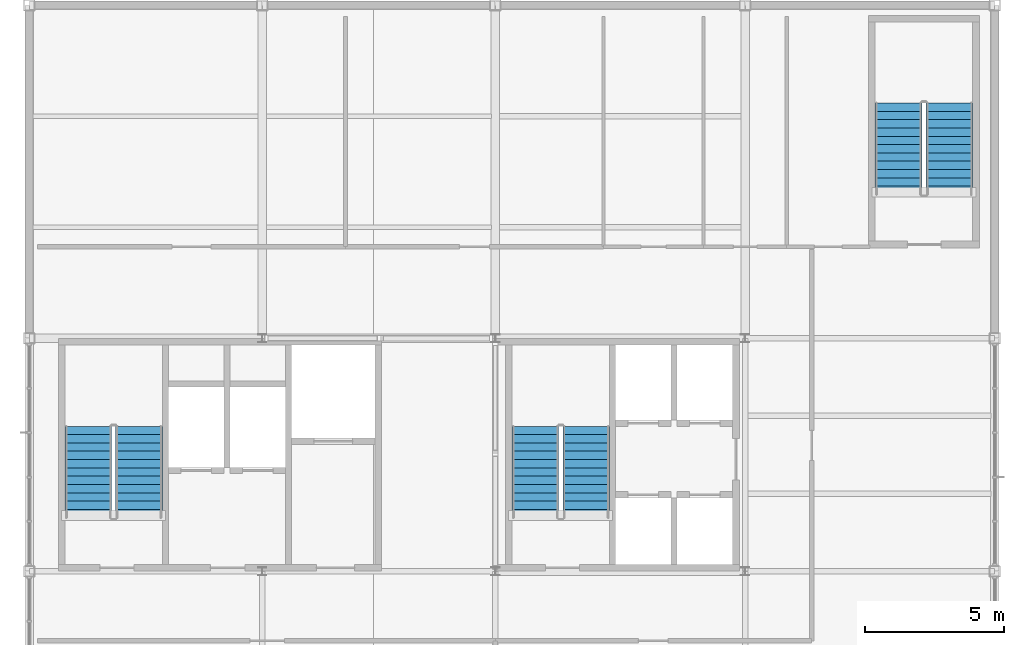
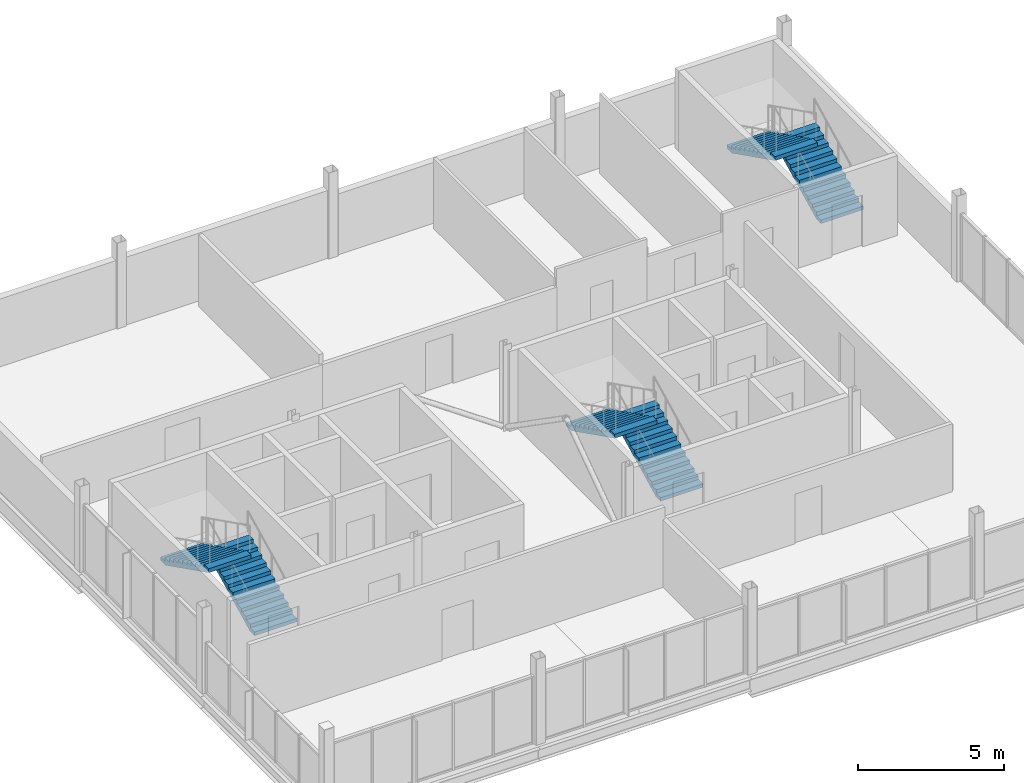
# One storey, part 13 of 15: 6 stair flights, 3 elements without a shape of their own.
"""IFC4 building model written with IfcOpenShell, lengths in metres."""

from ifc_helpers import new_model, si_unit, direction, frame, origin, place, context, subcontext, project, spatial, polyline, outline, extrude, material, type_object, element, aggregate, save


model = new_model("IFC4")

# Units and contexts
model_context = context("Model", 3, precision=1e-05, world=origin(), true_north=direction((0.0, 1.0)))
body_context = subcontext(model_context, "Body", "Model", "MODEL_VIEW")
ifc_project = project(units=[si_unit("LENGTHUNIT", "METRE"), si_unit("AREAUNIT", "SQUARE_METRE"), si_unit("VOLUMEUNIT", "CUBIC_METRE"), si_unit("PLANEANGLEUNIT", "RADIAN"), si_unit("MASSUNIT", "GRAM", prefix="KILO")], contexts=[model_context])

# Site, building, storey
site_placement = place(None, origin())
site = spatial("IfcSite", under=ifc_project, at=site_placement, CompositionType="ELEMENT")
building_placement = place(site_placement, origin())
building = spatial("IfcBuilding", under=site, at=building_placement, Name="Yukiwa Park Conservatory and Herbarium", CompositionType="ELEMENT")
storey_placement = place(building_placement, frame((0.0, 0.0, 54.0)))
storey = spatial("IfcBuildingStorey", under=building, at=storey_placement, Name="L14", CompositionType="ELEMENT", Elevation=54.0)

# Stair, stair flights
ifc_material_1 = material(Name="Concrete C40", Category="concrete")
stair_type_1 = type_object("IfcStairType", Name="ST-DOGLEG-ST-T1", PredefinedType="HALF_TURN_STAIR", material=ifc_material_1)
stair_1_placement = place(storey_placement, origin())
stair_1 = element("IfcStair", 1, at=stair_1_placement, inside=storey, type_object=stair_type_1, Name="L14 Protected Smoke-Proof Stair ST-T1", PredefinedType="HALF_TURN_STAIR")
ifc_material_2 = material(Name="Concrete C40", Category="concrete")
stair_flight_type = type_object("IfcStairFlightType", Name="STF-RC-1680", PredefinedType="STRAIGHT", material=ifc_material_2)
stair_flight_1_placement = place(storey_placement, frame((137.159912109375, 96.72998046875, 0.0), z_axis=(0.0, 0.0, 1.0), x_axis=(0.0, 1.0, 0.0)))
stair_flight_1 = element("IfcStairFlight", 2, at=stair_flight_1_placement, type_object=stair_flight_type, Name="ST-T1 flight 1", NumberOfRisers=12, NumberOfTreads=11, PredefinedType="STRAIGHT", RiserHeight=0.15, TreadLength=0.3, context=body_context, shape_type="SweptSolid", body=[
    extrude(outline(polyline([(0.0, 0.0), (0.0, 0.14990234375), (0.300048828125, 0.14990234375), (0.300048828125, 0.300048828125), (0.60009765625, 0.300048828125), (0.60009765625, 0.449951171875), (0.89990234375, 0.449951171875), (0.89990234375, 0.60009765625), (1.199951171875, 0.60009765625), (1.199951171875, 0.75), (1.5, 0.75), (1.5, 0.89990234375), (1.800048828125, 0.89990234375), (1.800048828125, 1.050048828125), (2.10009765625, 1.050048828125), (2.10009765625, 1.199951171875), (2.39990234375, 1.199951171875), (2.39990234375, 1.35009765625), (2.699951171875, 1.35009765625), (2.699951171875, 1.5), (3.0, 1.5), (3.0, 1.64990234375), (3.300048828125, 1.64990234375), (3.300048828125, 1.800048828125), (3.300048828125, 1.482421875), (0.335205078125, 0.0), (0.0, 0.0)])), frame((0.0, 0.83984375, 0.0), z_axis=(0.0, -1.0, 0.0), x_axis=(1.0, 0.0, 0.0)), (0.0, 0.0, 1.0), 1.679931640625),
])
stair_flight_2_placement = place(storey_placement, frame((135.330078125, 100.030029296875, 1.800048828125), z_axis=(0.0, 0.0, 1.0), x_axis=(0.0, -1.0, 0.0)))
stair_flight_2 = element("IfcStairFlight", 3, at=stair_flight_2_placement, type_object=stair_flight_type, Name="ST-T1 flight 2", NumberOfRisers=12, NumberOfTreads=11, PredefinedType="STRAIGHT", RiserHeight=0.15, TreadLength=0.3, context=body_context, shape_type="SweptSolid", body=[
    extrude(outline(polyline([(0.0, 0.0), (0.0, 0.14990234375), (0.300048828125, 0.14990234375), (0.300048828125, 0.300048828125), (0.60009765625, 0.300048828125), (0.60009765625, 0.449951171875), (0.89990234375, 0.449951171875), (0.89990234375, 0.60009765625), (1.199951171875, 0.60009765625), (1.199951171875, 0.75), (1.5, 0.75), (1.5, 0.89990234375), (1.800048828125, 0.89990234375), (1.800048828125, 1.050048828125), (2.10009765625, 1.050048828125), (2.10009765625, 1.199951171875), (2.39990234375, 1.199951171875), (2.39990234375, 1.35009765625), (2.699951171875, 1.35009765625), (2.699951171875, 1.5), (3.0, 1.5), (3.0, 1.64990234375), (3.300048828125, 1.64990234375), (3.300048828125, 1.800048828125), (3.300048828125, 1.482421875), (0.335205078125, 0.0), (0.0, 0.0)])), frame((0.0, 0.83984375, 0.0), z_axis=(0.0, -1.0, 0.0), x_axis=(1.0, 0.0, 0.0)), (0.0, 0.0, 1.0), 1.679931640625),
])
aggregate(stair_1, [stair_flight_1, stair_flight_2])

ifc_material_3 = material(Name="Concrete C40", Category="concrete")
stair_type_2 = type_object("IfcStairType", Name="ST-DOGLEG-ST-T2", PredefinedType="HALF_TURN_STAIR", material=ifc_material_3)
stair_2_placement = place(storey_placement, origin())
stair_2 = element("IfcStair", 4, at=stair_2_placement, inside=storey, type_object=stair_type_2, Name="L14 Protected Smoke-Proof Stair ST-T2", PredefinedType="HALF_TURN_STAIR")
stair_flight_3_placement = place(storey_placement, frame((153.27001953125, 96.72998046875, 0.0), z_axis=(0.0, 0.0, 1.0), x_axis=(0.0, 1.0, 0.0)))
stair_flight_3 = element("IfcStairFlight", 5, at=stair_flight_3_placement, type_object=stair_flight_type, Name="ST-T2 flight 1", NumberOfRisers=12, NumberOfTreads=11, PredefinedType="STRAIGHT", RiserHeight=0.15, TreadLength=0.3, context=body_context, shape_type="SweptSolid", body=[
    extrude(outline(polyline([(0.0, 0.0), (0.0, 0.14990234375), (0.300048828125, 0.14990234375), (0.300048828125, 0.300048828125), (0.60009765625, 0.300048828125), (0.60009765625, 0.449951171875), (0.89990234375, 0.449951171875), (0.89990234375, 0.60009765625), (1.199951171875, 0.60009765625), (1.199951171875, 0.75), (1.5, 0.75), (1.5, 0.89990234375), (1.800048828125, 0.89990234375), (1.800048828125, 1.050048828125), (2.10009765625, 1.050048828125), (2.10009765625, 1.199951171875), (2.39990234375, 1.199951171875), (2.39990234375, 1.35009765625), (2.699951171875, 1.35009765625), (2.699951171875, 1.5), (3.0, 1.5), (3.0, 1.64990234375), (3.300048828125, 1.64990234375), (3.300048828125, 1.800048828125), (3.300048828125, 1.482421875), (0.335205078125, 0.0), (0.0, 0.0)])), frame((0.0, 0.83984375, 0.0), z_axis=(0.0, -1.0, 0.0), x_axis=(1.0, 0.0, 0.0)), (0.0, 0.0, 1.0), 1.679931640625),
])
stair_flight_4_placement = place(storey_placement, frame((151.43994140625, 100.030029296875, 1.800048828125), z_axis=(0.0, 0.0, 1.0), x_axis=(0.0, -1.0, 0.0)))
stair_flight_4 = element("IfcStairFlight", 6, at=stair_flight_4_placement, type_object=stair_flight_type, Name="ST-T2 flight 2", NumberOfRisers=12, NumberOfTreads=11, PredefinedType="STRAIGHT", RiserHeight=0.15, TreadLength=0.3, context=body_context, shape_type="SweptSolid", body=[
    extrude(outline(polyline([(0.0, 0.0), (0.0, 0.14990234375), (0.300048828125, 0.14990234375), (0.300048828125, 0.300048828125), (0.60009765625, 0.300048828125), (0.60009765625, 0.449951171875), (0.89990234375, 0.449951171875), (0.89990234375, 0.60009765625), (1.199951171875, 0.60009765625), (1.199951171875, 0.75), (1.5, 0.75), (1.5, 0.89990234375), (1.800048828125, 0.89990234375), (1.800048828125, 1.050048828125), (2.10009765625, 1.050048828125), (2.10009765625, 1.199951171875), (2.39990234375, 1.199951171875), (2.39990234375, 1.35009765625), (2.699951171875, 1.35009765625), (2.699951171875, 1.5), (3.0, 1.5), (3.0, 1.64990234375), (3.300048828125, 1.64990234375), (3.300048828125, 1.800048828125), (3.300048828125, 1.482421875), (0.335205078125, 0.0), (0.0, 0.0)])), frame((0.0, 0.83984375, 0.0), z_axis=(0.0, -1.0, 0.0), x_axis=(1.0, 0.0, 0.0)), (0.0, 0.0, 1.0), 1.679931640625),
])
aggregate(stair_2, [stair_flight_3, stair_flight_4])

ifc_material_4 = material(Name="Concrete C40", Category="concrete")
stair_type_3 = type_object("IfcStairType", Name="ST-DOGLEG-ST-T3", PredefinedType="HALF_TURN_STAIR", material=ifc_material_4)
stair_3_placement = place(storey_placement, origin())
stair_3 = element("IfcStair", 7, at=stair_3_placement, inside=storey, type_object=stair_type_3, Name="L14 Protected Smoke-Proof Stair ST-T3", PredefinedType="HALF_TURN_STAIR")
stair_flight_5_placement = place(storey_placement, frame((166.360107421875, 108.3798828125, 0.0), z_axis=(0.0, 0.0, 1.0), x_axis=(0.0, 1.0, 0.0)))
stair_flight_5 = element("IfcStairFlight", 8, at=stair_flight_5_placement, type_object=stair_flight_type, Name="ST-T3 flight 1", NumberOfRisers=12, NumberOfTreads=11, PredefinedType="STRAIGHT", RiserHeight=0.15, TreadLength=0.3, context=body_context, shape_type="SweptSolid", body=[
    extrude(outline(polyline([(0.0, 0.0), (0.0, 0.14990234375), (0.300048828125, 0.14990234375), (0.300048828125, 0.300048828125), (0.60009765625, 0.300048828125), (0.60009765625, 0.449951171875), (0.89990234375, 0.449951171875), (0.89990234375, 0.60009765625), (1.199951171875, 0.60009765625), (1.199951171875, 0.75), (1.5, 0.75), (1.5, 0.89990234375), (1.800048828125, 0.89990234375), (1.800048828125, 1.050048828125), (2.10009765625, 1.050048828125), (2.10009765625, 1.199951171875), (2.39990234375, 1.199951171875), (2.39990234375, 1.35009765625), (2.699951171875, 1.35009765625), (2.699951171875, 1.5), (3.0, 1.5), (3.0, 1.64990234375), (3.300048828125, 1.64990234375), (3.300048828125, 1.800048828125), (3.300048828125, 1.482421875), (0.335205078125, 0.0), (0.0, 0.0)])), frame((0.0, 0.83984375, 0.0), z_axis=(0.0, -1.0, 0.0), x_axis=(1.0, 0.0, 0.0)), (0.0, 0.0, 1.0), 1.679931640625),
])
stair_flight_6_placement = place(storey_placement, frame((164.530029296875, 111.679931640625, 1.800048828125), z_axis=(0.0, 0.0, 1.0), x_axis=(0.0, -1.0, 0.0)))
stair_flight_6 = element("IfcStairFlight", 9, at=stair_flight_6_placement, type_object=stair_flight_type, Name="ST-T3 flight 2", NumberOfRisers=12, NumberOfTreads=11, PredefinedType="STRAIGHT", RiserHeight=0.15, TreadLength=0.3, context=body_context, shape_type="SweptSolid", body=[
    extrude(outline(polyline([(0.0, 0.0), (0.0, 0.14990234375), (0.300048828125, 0.14990234375), (0.300048828125, 0.300048828125), (0.60009765625, 0.300048828125), (0.60009765625, 0.449951171875), (0.89990234375, 0.449951171875), (0.89990234375, 0.60009765625), (1.199951171875, 0.60009765625), (1.199951171875, 0.75), (1.5, 0.75), (1.5, 0.89990234375), (1.800048828125, 0.89990234375), (1.800048828125, 1.050048828125), (2.10009765625, 1.050048828125), (2.10009765625, 1.199951171875), (2.39990234375, 1.199951171875), (2.39990234375, 1.35009765625), (2.699951171875, 1.35009765625), (2.699951171875, 1.5), (3.0, 1.5), (3.0, 1.64990234375), (3.300048828125, 1.64990234375), (3.300048828125, 1.800048828125), (3.300048828125, 1.482421875), (0.335205078125, 0.0), (0.0, 0.0)])), frame((0.0, 0.83984375, 0.0), z_axis=(0.0, -1.0, 0.0), x_axis=(1.0, 0.0, 0.0)), (0.0, 0.0, 1.0), 1.679931640625),
])
aggregate(stair_3, [stair_flight_5, stair_flight_6])

save(model, "model.ifc")
